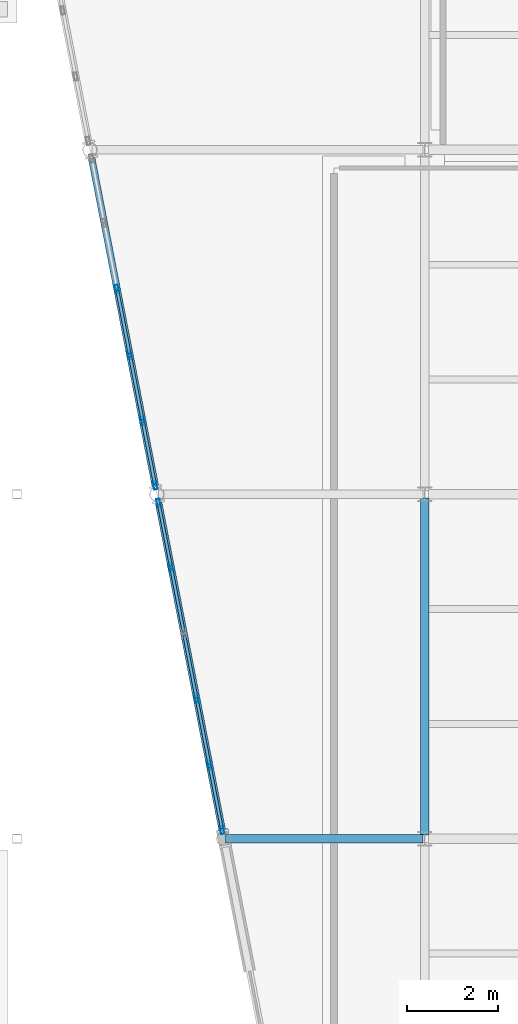
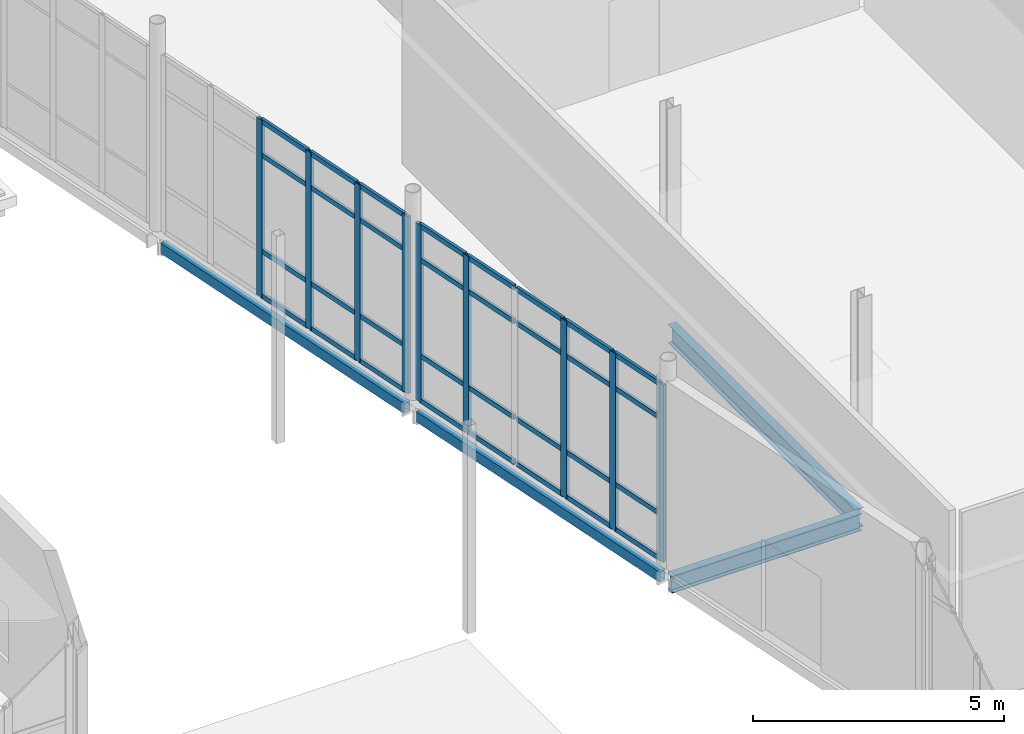
# One storey, part 87 of 161: 41 members, 4 beams, 2 elements without a shape of their own.
"""IFC4 building model written with IfcOpenShell, lengths in metres."""

from ifc_helpers import new_model, si_unit, direction, frame, origin, origin_2d, place, context, subcontext, project, spatial, hollow_rectangle, i_section, extrude, material, material_profile, profile_set, type_object, element, aggregate, save


model = new_model("IFC4")

# Units and contexts
model_context = context("Model", 3, precision=1e-05, world=origin(), true_north=direction((0.0, 1.0)))
body_context = subcontext(model_context, "Body", "Model", "MODEL_VIEW")
ifc_project = project(units=[si_unit("LENGTHUNIT", "METRE"), si_unit("AREAUNIT", "SQUARE_METRE"), si_unit("VOLUMEUNIT", "CUBIC_METRE"), si_unit("PLANEANGLEUNIT", "RADIAN"), si_unit("MASSUNIT", "GRAM", prefix="KILO")], contexts=[model_context])

# Site, building, storey
site_placement = place(None, origin())
site = spatial("IfcSite", under=ifc_project, at=site_placement, CompositionType="ELEMENT")
building_placement = place(site_placement, origin())
building = spatial("IfcBuilding", under=site, at=building_placement, Name="Caisbarro Railhouse Central Library", CompositionType="ELEMENT")
storey_placement = place(building_placement, origin())
storey = spatial("IfcBuildingStorey", under=building, at=storey_placement, Name="L00", CompositionType="ELEMENT", Elevation=0.0)

# Beams
ifc_material_1 = material(Name="Steel ASTM A572 Grade 50", Category="steel")
ifc_material_profile_1 = material_profile(ifc_material_1, i_section(OverallWidth=0.18994140625, OverallDepth=0.45703125, WebThickness=0.009033203125, FlangeThickness=0.014404296875, FilletRadius=0.01806640625, at=origin_2d()), Name="W460X74.0")
ifc_profile_set_1 = profile_set([ifc_material_profile_1], Name="Steel ASTM A572 Grade 50")
beam_type_1 = type_object("IfcBeamType", Name="BM-G08", PredefinedType="BEAM", material=ifc_profile_set_1)
beam_1_placement = place(storey_placement, frame((117.0, 83.679931640625, -0.478515625), z_axis=(0.0, 1.0, 0.0), x_axis=(-1.0, 0.0, 0.0)))
element("IfcBeam", 1, at=beam_1_placement, inside=storey, type_object=beam_type_1, Name="G08 beam L00 #525", PredefinedType="BEAM", context=body_context, shape_type="SweptSolid", body=[
    extrude(i_section(OverallWidth=0.18994140625, OverallDepth=0.45703125, WebThickness=0.009033203125, FlangeThickness=0.014404296875, FilletRadius=0.01806640625, at=origin_2d()), origin(), (0.0, 0.0, 1.0), 7.440185546875),
])
ifc_material_profile_2 = material_profile(ifc_material_1, i_section(OverallWidth=0.180908203125, OverallDepth=0.4169921875, WebThickness=0.010986328125, FlangeThickness=0.018310546875, FilletRadius=0.01611328125, at=origin_2d()), Name="W410X85.0")
ifc_profile_set_2 = profile_set([ifc_material_profile_2], Name="Steel ASTM A572 Grade 50")
beam_type_2 = type_object("IfcBeamType", Name="BM-G09", PredefinedType="BEAM", material=ifc_profile_set_2)
beam_2_placement = place(storey_placement, frame((112.60791015625, 83.60009765625, -0.45849609375), z_axis=(1.0, 0.0, 0.0), x_axis=(0.0, 1.0, 0.0)))
element("IfcBeam", 2, at=beam_2_placement, inside=storey, type_object=beam_type_2, Name="G09 beam L00 #689", PredefinedType="BEAM", context=body_context, shape_type="SweptSolid", body=[
    extrude(i_section(OverallWidth=0.180908203125, OverallDepth=0.4169921875, WebThickness=0.010986328125, FlangeThickness=0.018310546875, FilletRadius=0.01611328125, at=origin_2d()), origin(), (0.0, 0.0, 1.0), 4.35205078125),
])
ifc_material_profile_3 = material_profile(ifc_material_1, hollow_rectangle(XDim=0.14990234375, YDim=0.25, WallThickness=0.010009765625, at=origin_2d()), Name="HSS250X150X10")
ifc_profile_set_3 = profile_set([ifc_material_profile_3], Name="Steel ASTM A572 Grade 50")
beam_type_3 = type_object("IfcBeamType", Name="BM-SP03", PredefinedType="SPANDREL", material=ifc_profile_set_3)
for number, where, z_axis, x_axis, name in (
    (3, (112.53369140625, 83.776611328125, -0.375), (-0.1907899916, 0.981630877217, 0.0), (-0.981630877217, -0.1907899916, 0.0), "SP03 beam L00 #684"),
    (4, (111.056640625, 91.376708984375, -0.375), (-0.1907899916, 0.981630877217, 0.0), (-0.981630877217, -0.1907899916, 0.0), "SP03 beam L00 #685"),
):
    element("IfcBeam", number, at=place(storey_placement, frame(where, z_axis=z_axis, x_axis=x_axis)), inside=storey, type_object=beam_type_3, Name=name, PredefinedType="SPANDREL", context=body_context, shape_type="SweptSolid", body=[
        extrude(hollow_rectangle(XDim=0.14990234375, YDim=0.25, WallThickness=0.010009765625, at=origin_2d()), origin(), (0.0, 0.0, 1.0), 7.382080078125),
    ])

# Curtain wall, members
ifc_material_2 = material(Name="Anodised architectural aluminium", Category="aluminium")
curtain_wall_type = type_object("IfcCurtainWallType", Name="CW-CW01", PredefinedType="NOTDEFINED", material=ifc_material_2)
curtain_wall_1_placement = place(storey_placement, origin())
curtain_wall_1 = element("IfcCurtainWall", 5, at=curtain_wall_1_placement, inside=storey, type_object=curtain_wall_type, Name="CW01 curtain wall L00 #98", PredefinedType="NOTDEFINED")
ifc_material_profile_4 = material_profile(ifc_material_2, hollow_rectangle(XDim=0.074951171875, YDim=0.179931640625, WallThickness=0.00439453125, at=origin_2d()), Name="ALU-MUL-75X180")
ifc_profile_set_4 = profile_set([ifc_material_profile_4], Name="Anodised architectural aluminium")
member_type_1 = type_object("IfcMemberType", Name="CWM-M01", PredefinedType="MULLION", material=ifc_profile_set_4)
member_1_placement = place(storey_placement, frame((112.5302734375, 83.7939453125, 0.0), z_axis=(0.0, 0.0, 1.0), x_axis=(-0.981632635401, -0.190780945369, 0.0)))
member_1 = element("IfcMember", 6, at=member_1_placement, type_object=member_type_1, Name="CW01 mullion 1", PredefinedType="MULLION", context=body_context, shape_type="SweptSolid", body=[
    extrude(hollow_rectangle(XDim=0.074951171875, YDim=0.179931640625, WallThickness=0.00439453125, at=origin_2d()), origin(), (0.0, 0.0, 1.0), 4.300048828125),
])
member_2_placement = place(storey_placement, frame((112.25439453125, 85.21435546875, 0.0), z_axis=(0.0, 0.0, 1.0), x_axis=(-0.981632635401, -0.190780945369, 0.0)))
member_2 = element("IfcMember", 7, at=member_2_placement, type_object=member_type_1, Name="CW01 mullion 2", PredefinedType="MULLION", context=body_context, shape_type="SweptSolid", body=[
    extrude(hollow_rectangle(XDim=0.074951171875, YDim=0.179931640625, WallThickness=0.00439453125, at=origin_2d()), origin(), (0.0, 0.0, 1.0), 4.300048828125),
])
member_3_placement = place(storey_placement, frame((111.97119140625, 86.67138671875, 0.0), z_axis=(0.0, 0.0, 1.0), x_axis=(-0.981632635401, -0.190780945369, 0.0)))
member_3 = element("IfcMember", 8, at=member_3_placement, type_object=member_type_1, Name="CW01 mullion 3", PredefinedType="MULLION", context=body_context, shape_type="SweptSolid", body=[
    extrude(hollow_rectangle(XDim=0.074951171875, YDim=0.179931640625, WallThickness=0.00439453125, at=origin_2d()), origin(), (0.0, 0.0, 1.0), 4.300048828125),
])
member_4_placement = place(storey_placement, frame((111.40478515625, 89.585693359375, 0.0), z_axis=(0.0, 0.0, 1.0), x_axis=(-0.981632635401, -0.190780945369, 0.0)))
member_4 = element("IfcMember", 9, at=member_4_placement, type_object=member_type_1, Name="CW01 mullion 5", PredefinedType="MULLION", context=body_context, shape_type="SweptSolid", body=[
    extrude(hollow_rectangle(XDim=0.074951171875, YDim=0.179931640625, WallThickness=0.00439453125, at=origin_2d()), origin(), (0.0, 0.0, 1.0), 4.300048828125),
])
member_5_placement = place(storey_placement, frame((111.128662109375, 91.006103515625, 0.0), z_axis=(0.0, 0.0, 1.0), x_axis=(-0.981632635401, -0.190780945369, 0.0)))
member_5 = element("IfcMember", 10, at=member_5_placement, type_object=member_type_1, Name="CW01 mullion 6", PredefinedType="MULLION", context=body_context, shape_type="SweptSolid", body=[
    extrude(hollow_rectangle(XDim=0.074951171875, YDim=0.179931640625, WallThickness=0.00439453125, at=origin_2d()), origin(), (0.0, 0.0, 1.0), 4.300048828125),
])

curtain_wall_2_placement = place(storey_placement, origin())
curtain_wall_2 = element("IfcCurtainWall", 11, at=curtain_wall_2_placement, inside=storey, type_object=curtain_wall_type, Name="CW01 curtain wall L00 #99", PredefinedType="NOTDEFINED")
member_6_placement = place(storey_placement, frame((111.053466796875, 91.393798828125, 0.0), z_axis=(0.0, 0.0, 1.0), x_axis=(-0.981632635401, -0.190780945369, 0.0)))
member_6 = element("IfcMember", 12, at=member_6_placement, type_object=member_type_1, Name="CW01 mullion 1", PredefinedType="MULLION", context=body_context, shape_type="SweptSolid", body=[
    extrude(hollow_rectangle(XDim=0.074951171875, YDim=0.179931640625, WallThickness=0.00439453125, at=origin_2d()), origin(), (0.0, 0.0, 1.0), 4.300048828125),
])
member_7_placement = place(storey_placement, frame((110.77734375, 92.814208984375, 0.0), z_axis=(0.0, 0.0, 1.0), x_axis=(-0.981632635401, -0.190780945369, 0.0)))
member_7 = element("IfcMember", 13, at=member_7_placement, type_object=member_type_1, Name="CW01 mullion 2", PredefinedType="MULLION", context=body_context, shape_type="SweptSolid", body=[
    extrude(hollow_rectangle(XDim=0.074951171875, YDim=0.179931640625, WallThickness=0.00439453125, at=origin_2d()), origin(), (0.0, 0.0, 1.0), 4.300048828125),
])
member_8_placement = place(storey_placement, frame((110.494140625, 94.271484375, 0.0), z_axis=(0.0, 0.0, 1.0), x_axis=(-0.981632635401, -0.190780945369, 0.0)))
member_8 = element("IfcMember", 14, at=member_8_placement, type_object=member_type_1, Name="CW01 mullion 3", PredefinedType="MULLION", context=body_context, shape_type="SweptSolid", body=[
    extrude(hollow_rectangle(XDim=0.074951171875, YDim=0.179931640625, WallThickness=0.00439453125, at=origin_2d()), origin(), (0.0, 0.0, 1.0), 4.300048828125),
])
member_9_placement = place(storey_placement, frame((110.2109375, 95.728515625, 0.0), z_axis=(0.0, 0.0, 1.0), x_axis=(-0.981632635401, -0.190780945369, 0.0)))
member_9 = element("IfcMember", 15, at=member_9_placement, type_object=member_type_1, Name="CW01 mullion 4", PredefinedType="MULLION", context=body_context, shape_type="SweptSolid", body=[
    extrude(hollow_rectangle(XDim=0.074951171875, YDim=0.179931640625, WallThickness=0.00439453125, at=origin_2d()), origin(), (0.0, 0.0, 1.0), 4.300048828125),
])

# Member
ifc_material_profile_5 = material_profile(ifc_material_2, hollow_rectangle(XDim=0.06494140625, YDim=0.1201171875, WallThickness=0.00341796875, at=origin_2d()), Name="ALU-TRN-65X120")
ifc_profile_set_5 = profile_set([ifc_material_profile_5], Name="Anodised architectural aluminium")
member_type_2 = type_object("IfcMemberType", Name="CWT-T02", PredefinedType="USERDEFINED", material=ifc_profile_set_5)
member_10_placement = place(storey_placement, frame((112.523193359375, 83.830810546875, 0.032470703125), z_axis=(-0.190774392735, 0.981633908887, 0.0), x_axis=(-0.981633908887, -0.190774392735, 0.0)))
member_10 = element("IfcMember", 16, at=member_10_placement, type_object=member_type_2, Name="CW01 transom 1.1", ObjectType="TRANSOM", PredefinedType="USERDEFINED", context=body_context, shape_type="SweptSolid", body=[
    extrude(hollow_rectangle(XDim=0.06494140625, YDim=0.1201171875, WallThickness=0.00341796875, at=origin_2d()), origin(), (0.0, 0.0, 1.0), 1.371826171875),
])

member_11_placement = place(storey_placement, frame((112.523193359375, 83.830810546875, 1.1201171875), z_axis=(-0.190774392735, 0.981633908887, 0.0), x_axis=(-0.981633908887, -0.190774392735, 0.0)))
member_11 = element("IfcMember", 17, at=member_11_placement, type_object=member_type_2, Name="CW01 transom 1.2", ObjectType="TRANSOM", PredefinedType="USERDEFINED", context=body_context, shape_type="SweptSolid", body=[
    extrude(hollow_rectangle(XDim=0.06494140625, YDim=0.1201171875, WallThickness=0.00341796875, at=origin_2d()), origin(), (0.0, 0.0, 1.0), 1.371826171875),
])

member_12_placement = place(storey_placement, frame((112.523193359375, 83.830810546875, 3.449951171875), z_axis=(-0.190774392735, 0.981633908887, 0.0), x_axis=(-0.981633908887, -0.190774392735, 0.0)))
member_12 = element("IfcMember", 18, at=member_12_placement, type_object=member_type_2, Name="CW01 transom 1.3", ObjectType="TRANSOM", PredefinedType="USERDEFINED", context=body_context, shape_type="SweptSolid", body=[
    extrude(hollow_rectangle(XDim=0.06494140625, YDim=0.1201171875, WallThickness=0.00341796875, at=origin_2d()), origin(), (0.0, 0.0, 1.0), 1.371826171875),
])

member_13_placement = place(storey_placement, frame((112.523193359375, 83.830810546875, 4.267578125), z_axis=(-0.190774392735, 0.981633908887, 0.0), x_axis=(-0.981633908887, -0.190774392735, 0.0)))
member_13 = element("IfcMember", 19, at=member_13_placement, type_object=member_type_2, Name="CW01 transom 1.4", ObjectType="TRANSOM", PredefinedType="USERDEFINED", context=body_context, shape_type="SweptSolid", body=[
    extrude(hollow_rectangle(XDim=0.06494140625, YDim=0.1201171875, WallThickness=0.00341796875, at=origin_2d()), origin(), (0.0, 0.0, 1.0), 1.371826171875),
])

member_14_placement = place(storey_placement, frame((112.2470703125, 85.2509765625, 0.032470703125), z_axis=(-0.190716655365, 0.981645128021, 0.0), x_axis=(-0.981645128021, -0.190716655365, 0.0)))
member_14 = element("IfcMember", 20, at=member_14_placement, type_object=member_type_2, Name="CW01 transom 2.1", ObjectType="TRANSOM", PredefinedType="USERDEFINED", context=body_context, shape_type="SweptSolid", body=[
    extrude(hollow_rectangle(XDim=0.06494140625, YDim=0.1201171875, WallThickness=0.00341796875, at=origin_2d()), origin(), (0.0, 0.0, 1.0), 1.409423828125),
])

member_15_placement = place(storey_placement, frame((112.2470703125, 85.2509765625, 1.1201171875), z_axis=(-0.190716655365, 0.981645128021, 0.0), x_axis=(-0.981645128021, -0.190716655365, 0.0)))
member_15 = element("IfcMember", 21, at=member_15_placement, type_object=member_type_2, Name="CW01 transom 2.2", ObjectType="TRANSOM", PredefinedType="USERDEFINED", context=body_context, shape_type="SweptSolid", body=[
    extrude(hollow_rectangle(XDim=0.06494140625, YDim=0.1201171875, WallThickness=0.00341796875, at=origin_2d()), origin(), (0.0, 0.0, 1.0), 1.409423828125),
])

member_16_placement = place(storey_placement, frame((112.2470703125, 85.2509765625, 3.449951171875), z_axis=(-0.190716655365, 0.981645128021, 0.0), x_axis=(-0.981645128021, -0.190716655365, 0.0)))
member_16 = element("IfcMember", 22, at=member_16_placement, type_object=member_type_2, Name="CW01 transom 2.3", ObjectType="TRANSOM", PredefinedType="USERDEFINED", context=body_context, shape_type="SweptSolid", body=[
    extrude(hollow_rectangle(XDim=0.06494140625, YDim=0.1201171875, WallThickness=0.00341796875, at=origin_2d()), origin(), (0.0, 0.0, 1.0), 1.409423828125),
])

member_17_placement = place(storey_placement, frame((112.2470703125, 85.2509765625, 4.267578125), z_axis=(-0.190716655365, 0.981645128021, 0.0), x_axis=(-0.981645128021, -0.190716655365, 0.0)))
member_17 = element("IfcMember", 23, at=member_17_placement, type_object=member_type_2, Name="CW01 transom 2.4", ObjectType="TRANSOM", PredefinedType="USERDEFINED", context=body_context, shape_type="SweptSolid", body=[
    extrude(hollow_rectangle(XDim=0.06494140625, YDim=0.1201171875, WallThickness=0.00341796875, at=origin_2d()), origin(), (0.0, 0.0, 1.0), 1.409423828125),
])

member_18_placement = place(storey_placement, frame((111.9638671875, 86.708251953125, 0.032470703125), z_axis=(-0.190716655365, 0.981645128021, 0.0), x_axis=(-0.981645128021, -0.190716655365, 0.0)))
member_18 = element("IfcMember", 24, at=member_18_placement, type_object=member_type_2, Name="CW01 transom 3.1", ObjectType="TRANSOM", PredefinedType="USERDEFINED", context=body_context, shape_type="SweptSolid", body=[
    extrude(hollow_rectangle(XDim=0.06494140625, YDim=0.1201171875, WallThickness=0.00341796875, at=origin_2d()), origin(), (0.0, 0.0, 1.0), 1.409423828125),
])

member_19_placement = place(storey_placement, frame((111.9638671875, 86.708251953125, 1.1201171875), z_axis=(-0.190716655365, 0.981645128021, 0.0), x_axis=(-0.981645128021, -0.190716655365, 0.0)))
member_19 = element("IfcMember", 25, at=member_19_placement, type_object=member_type_2, Name="CW01 transom 3.2", ObjectType="TRANSOM", PredefinedType="USERDEFINED", context=body_context, shape_type="SweptSolid", body=[
    extrude(hollow_rectangle(XDim=0.06494140625, YDim=0.1201171875, WallThickness=0.00341796875, at=origin_2d()), origin(), (0.0, 0.0, 1.0), 1.409423828125),
])

member_20_placement = place(storey_placement, frame((111.9638671875, 86.708251953125, 3.449951171875), z_axis=(-0.190716655365, 0.981645128021, 0.0), x_axis=(-0.981645128021, -0.190716655365, 0.0)))
member_20 = element("IfcMember", 26, at=member_20_placement, type_object=member_type_2, Name="CW01 transom 3.3", ObjectType="TRANSOM", PredefinedType="USERDEFINED", context=body_context, shape_type="SweptSolid", body=[
    extrude(hollow_rectangle(XDim=0.06494140625, YDim=0.1201171875, WallThickness=0.00341796875, at=origin_2d()), origin(), (0.0, 0.0, 1.0), 1.409423828125),
])

member_21_placement = place(storey_placement, frame((111.9638671875, 86.708251953125, 4.267578125), z_axis=(-0.190716655365, 0.981645128021, 0.0), x_axis=(-0.981645128021, -0.190716655365, 0.0)))
member_21 = element("IfcMember", 27, at=member_21_placement, type_object=member_type_2, Name="CW01 transom 3.4", ObjectType="TRANSOM", PredefinedType="USERDEFINED", context=body_context, shape_type="SweptSolid", body=[
    extrude(hollow_rectangle(XDim=0.06494140625, YDim=0.1201171875, WallThickness=0.00341796875, at=origin_2d()), origin(), (0.0, 0.0, 1.0), 1.409423828125),
])

member_22_placement = place(storey_placement, frame((111.6806640625, 88.165283203125, 0.032470703125), z_axis=(-0.190716655365, 0.981645128021, 0.0), x_axis=(-0.981645128021, -0.190716655365, 0.0)))
member_22 = element("IfcMember", 28, at=member_22_placement, type_object=member_type_2, Name="CW01 transom 4.1", ObjectType="TRANSOM", PredefinedType="USERDEFINED", context=body_context, shape_type="SweptSolid", body=[
    extrude(hollow_rectangle(XDim=0.06494140625, YDim=0.1201171875, WallThickness=0.00341796875, at=origin_2d()), origin(), (0.0, 0.0, 1.0), 1.409423828125),
])

member_23_placement = place(storey_placement, frame((111.6806640625, 88.165283203125, 1.1201171875), z_axis=(-0.190716655365, 0.981645128021, 0.0), x_axis=(-0.981645128021, -0.190716655365, 0.0)))
member_23 = element("IfcMember", 29, at=member_23_placement, type_object=member_type_2, Name="CW01 transom 4.2", ObjectType="TRANSOM", PredefinedType="USERDEFINED", context=body_context, shape_type="SweptSolid", body=[
    extrude(hollow_rectangle(XDim=0.06494140625, YDim=0.1201171875, WallThickness=0.00341796875, at=origin_2d()), origin(), (0.0, 0.0, 1.0), 1.409423828125),
])

member_24_placement = place(storey_placement, frame((111.6806640625, 88.165283203125, 3.449951171875), z_axis=(-0.190716655365, 0.981645128021, 0.0), x_axis=(-0.981645128021, -0.190716655365, 0.0)))
member_24 = element("IfcMember", 30, at=member_24_placement, type_object=member_type_2, Name="CW01 transom 4.3", ObjectType="TRANSOM", PredefinedType="USERDEFINED", context=body_context, shape_type="SweptSolid", body=[
    extrude(hollow_rectangle(XDim=0.06494140625, YDim=0.1201171875, WallThickness=0.00341796875, at=origin_2d()), origin(), (0.0, 0.0, 1.0), 1.409423828125),
])

member_25_placement = place(storey_placement, frame((111.6806640625, 88.165283203125, 4.267578125), z_axis=(-0.190716655365, 0.981645128021, 0.0), x_axis=(-0.981645128021, -0.190716655365, 0.0)))
member_25 = element("IfcMember", 31, at=member_25_placement, type_object=member_type_2, Name="CW01 transom 4.4", ObjectType="TRANSOM", PredefinedType="USERDEFINED", context=body_context, shape_type="SweptSolid", body=[
    extrude(hollow_rectangle(XDim=0.06494140625, YDim=0.1201171875, WallThickness=0.00341796875, at=origin_2d()), origin(), (0.0, 0.0, 1.0), 1.409423828125),
])

member_26_placement = place(storey_placement, frame((111.3974609375, 89.62255859375, 0.032470703125), z_axis=(-0.190774392735, 0.981633908887, 0.0), x_axis=(-0.981633908887, -0.190774392735, 0.0)))
member_26 = element("IfcMember", 32, at=member_26_placement, type_object=member_type_2, Name="CW01 transom 5.1", ObjectType="TRANSOM", PredefinedType="USERDEFINED", context=body_context, shape_type="SweptSolid", body=[
    extrude(hollow_rectangle(XDim=0.06494140625, YDim=0.1201171875, WallThickness=0.00341796875, at=origin_2d()), origin(), (0.0, 0.0, 1.0), 1.371826171875),
])

member_27_placement = place(storey_placement, frame((111.3974609375, 89.62255859375, 1.1201171875), z_axis=(-0.190774392735, 0.981633908887, 0.0), x_axis=(-0.981633908887, -0.190774392735, 0.0)))
member_27 = element("IfcMember", 33, at=member_27_placement, type_object=member_type_2, Name="CW01 transom 5.2", ObjectType="TRANSOM", PredefinedType="USERDEFINED", context=body_context, shape_type="SweptSolid", body=[
    extrude(hollow_rectangle(XDim=0.06494140625, YDim=0.1201171875, WallThickness=0.00341796875, at=origin_2d()), origin(), (0.0, 0.0, 1.0), 1.371826171875),
])

member_28_placement = place(storey_placement, frame((111.3974609375, 89.62255859375, 3.449951171875), z_axis=(-0.190774392735, 0.981633908887, 0.0), x_axis=(-0.981633908887, -0.190774392735, 0.0)))
member_28 = element("IfcMember", 34, at=member_28_placement, type_object=member_type_2, Name="CW01 transom 5.3", ObjectType="TRANSOM", PredefinedType="USERDEFINED", context=body_context, shape_type="SweptSolid", body=[
    extrude(hollow_rectangle(XDim=0.06494140625, YDim=0.1201171875, WallThickness=0.00341796875, at=origin_2d()), origin(), (0.0, 0.0, 1.0), 1.371826171875),
])

member_29_placement = place(storey_placement, frame((111.3974609375, 89.62255859375, 4.267578125), z_axis=(-0.190774392735, 0.981633908887, 0.0), x_axis=(-0.981633908887, -0.190774392735, 0.0)))
member_29 = element("IfcMember", 35, at=member_29_placement, type_object=member_type_2, Name="CW01 transom 5.4", ObjectType="TRANSOM", PredefinedType="USERDEFINED", context=body_context, shape_type="SweptSolid", body=[
    extrude(hollow_rectangle(XDim=0.06494140625, YDim=0.1201171875, WallThickness=0.00341796875, at=origin_2d()), origin(), (0.0, 0.0, 1.0), 1.371826171875),
])

aggregate(curtain_wall_1, [member_1, member_2, member_3, member_4, member_5, member_10, member_11, member_12, member_13, member_14, member_15, member_16, member_17, member_18, member_19, member_20, member_21, member_22, member_23, member_24, member_25, member_26, member_27, member_28, member_29])

member_30_placement = place(storey_placement, frame((111.046142578125, 91.4306640625, 0.032470703125), z_axis=(-0.190774392735, 0.981633908887, 0.0), x_axis=(-0.981633908887, -0.190774392735, 0.0)))
member_30 = element("IfcMember", 36, at=member_30_placement, type_object=member_type_2, Name="CW01 transom 1.1", ObjectType="TRANSOM", PredefinedType="USERDEFINED", context=body_context, shape_type="SweptSolid", body=[
    extrude(hollow_rectangle(XDim=0.06494140625, YDim=0.1201171875, WallThickness=0.00341796875, at=origin_2d()), origin(), (0.0, 0.0, 1.0), 1.371826171875),
])

member_31_placement = place(storey_placement, frame((111.046142578125, 91.4306640625, 1.1201171875), z_axis=(-0.190774392735, 0.981633908887, 0.0), x_axis=(-0.981633908887, -0.190774392735, 0.0)))
member_31 = element("IfcMember", 37, at=member_31_placement, type_object=member_type_2, Name="CW01 transom 1.2", ObjectType="TRANSOM", PredefinedType="USERDEFINED", context=body_context, shape_type="SweptSolid", body=[
    extrude(hollow_rectangle(XDim=0.06494140625, YDim=0.1201171875, WallThickness=0.00341796875, at=origin_2d()), origin(), (0.0, 0.0, 1.0), 1.371826171875),
])

member_32_placement = place(storey_placement, frame((111.046142578125, 91.4306640625, 3.449951171875), z_axis=(-0.190774392735, 0.981633908887, 0.0), x_axis=(-0.981633908887, -0.190774392735, 0.0)))
member_32 = element("IfcMember", 38, at=member_32_placement, type_object=member_type_2, Name="CW01 transom 1.3", ObjectType="TRANSOM", PredefinedType="USERDEFINED", context=body_context, shape_type="SweptSolid", body=[
    extrude(hollow_rectangle(XDim=0.06494140625, YDim=0.1201171875, WallThickness=0.00341796875, at=origin_2d()), origin(), (0.0, 0.0, 1.0), 1.371826171875),
])

member_33_placement = place(storey_placement, frame((111.046142578125, 91.4306640625, 4.267578125), z_axis=(-0.190774392735, 0.981633908887, 0.0), x_axis=(-0.981633908887, -0.190774392735, 0.0)))
member_33 = element("IfcMember", 39, at=member_33_placement, type_object=member_type_2, Name="CW01 transom 1.4", ObjectType="TRANSOM", PredefinedType="USERDEFINED", context=body_context, shape_type="SweptSolid", body=[
    extrude(hollow_rectangle(XDim=0.06494140625, YDim=0.1201171875, WallThickness=0.00341796875, at=origin_2d()), origin(), (0.0, 0.0, 1.0), 1.371826171875),
])

member_34_placement = place(storey_placement, frame((110.770263671875, 92.85107421875, 0.032470703125), z_axis=(-0.190883567843, 0.981612685089, 0.0), x_axis=(-0.981612685089, -0.190883567843, 0.0)))
member_34 = element("IfcMember", 40, at=member_34_placement, type_object=member_type_2, Name="CW01 transom 2.1", ObjectType="TRANSOM", PredefinedType="USERDEFINED", context=body_context, shape_type="SweptSolid", body=[
    extrude(hollow_rectangle(XDim=0.06494140625, YDim=0.1201171875, WallThickness=0.00341796875, at=origin_2d()), origin(), (0.0, 0.0, 1.0), 1.409423828125),
])

member_35_placement = place(storey_placement, frame((110.770263671875, 92.85107421875, 1.1201171875), z_axis=(-0.190883567843, 0.981612685089, 0.0), x_axis=(-0.981612685089, -0.190883567843, 0.0)))
member_35 = element("IfcMember", 41, at=member_35_placement, type_object=member_type_2, Name="CW01 transom 2.2", ObjectType="TRANSOM", PredefinedType="USERDEFINED", context=body_context, shape_type="SweptSolid", body=[
    extrude(hollow_rectangle(XDim=0.06494140625, YDim=0.1201171875, WallThickness=0.00341796875, at=origin_2d()), origin(), (0.0, 0.0, 1.0), 1.409423828125),
])

member_36_placement = place(storey_placement, frame((110.770263671875, 92.85107421875, 3.449951171875), z_axis=(-0.190883567843, 0.981612685089, 0.0), x_axis=(-0.981612685089, -0.190883567843, 0.0)))
member_36 = element("IfcMember", 42, at=member_36_placement, type_object=member_type_2, Name="CW01 transom 2.3", ObjectType="TRANSOM", PredefinedType="USERDEFINED", context=body_context, shape_type="SweptSolid", body=[
    extrude(hollow_rectangle(XDim=0.06494140625, YDim=0.1201171875, WallThickness=0.00341796875, at=origin_2d()), origin(), (0.0, 0.0, 1.0), 1.409423828125),
])

member_37_placement = place(storey_placement, frame((110.770263671875, 92.85107421875, 4.267578125), z_axis=(-0.190883567843, 0.981612685089, 0.0), x_axis=(-0.981612685089, -0.190883567843, 0.0)))
member_37 = element("IfcMember", 43, at=member_37_placement, type_object=member_type_2, Name="CW01 transom 2.4", ObjectType="TRANSOM", PredefinedType="USERDEFINED", context=body_context, shape_type="SweptSolid", body=[
    extrude(hollow_rectangle(XDim=0.06494140625, YDim=0.1201171875, WallThickness=0.00341796875, at=origin_2d()), origin(), (0.0, 0.0, 1.0), 1.409423828125),
])

member_38_placement = place(storey_placement, frame((110.487060546875, 94.308349609375, 0.032470703125), z_axis=(-0.190916029308, 0.981606372103, 0.0), x_axis=(-0.981606372103, -0.190916029308, 0.0)))
member_38 = element("IfcMember", 44, at=member_38_placement, type_object=member_type_2, Name="CW01 transom 3.1", ObjectType="TRANSOM", PredefinedType="USERDEFINED", context=body_context, shape_type="SweptSolid", body=[
    extrude(hollow_rectangle(XDim=0.06494140625, YDim=0.1201171875, WallThickness=0.00341796875, at=origin_2d()), origin(), (0.0, 0.0, 1.0), 1.4091796875),
])

member_39_placement = place(storey_placement, frame((110.487060546875, 94.308349609375, 1.1201171875), z_axis=(-0.190916029308, 0.981606372103, 0.0), x_axis=(-0.981606372103, -0.190916029308, 0.0)))
member_39 = element("IfcMember", 45, at=member_39_placement, type_object=member_type_2, Name="CW01 transom 3.2", ObjectType="TRANSOM", PredefinedType="USERDEFINED", context=body_context, shape_type="SweptSolid", body=[
    extrude(hollow_rectangle(XDim=0.06494140625, YDim=0.1201171875, WallThickness=0.00341796875, at=origin_2d()), origin(), (0.0, 0.0, 1.0), 1.4091796875),
])

member_40_placement = place(storey_placement, frame((110.487060546875, 94.308349609375, 3.449951171875), z_axis=(-0.190916029308, 0.981606372103, 0.0), x_axis=(-0.981606372103, -0.190916029308, 0.0)))
member_40 = element("IfcMember", 46, at=member_40_placement, type_object=member_type_2, Name="CW01 transom 3.3", ObjectType="TRANSOM", PredefinedType="USERDEFINED", context=body_context, shape_type="SweptSolid", body=[
    extrude(hollow_rectangle(XDim=0.06494140625, YDim=0.1201171875, WallThickness=0.00341796875, at=origin_2d()), origin(), (0.0, 0.0, 1.0), 1.4091796875),
])

member_41_placement = place(storey_placement, frame((110.487060546875, 94.308349609375, 4.267578125), z_axis=(-0.190916029308, 0.981606372103, 0.0), x_axis=(-0.981606372103, -0.190916029308, 0.0)))
member_41 = element("IfcMember", 47, at=member_41_placement, type_object=member_type_2, Name="CW01 transom 3.4", ObjectType="TRANSOM", PredefinedType="USERDEFINED", context=body_context, shape_type="SweptSolid", body=[
    extrude(hollow_rectangle(XDim=0.06494140625, YDim=0.1201171875, WallThickness=0.00341796875, at=origin_2d()), origin(), (0.0, 0.0, 1.0), 1.4091796875),
])

aggregate(curtain_wall_2, [member_6, member_7, member_8, member_9, member_30, member_31, member_32, member_33, member_34, member_35, member_36, member_37, member_38, member_39, member_40, member_41])

save(model, "model.ifc")
